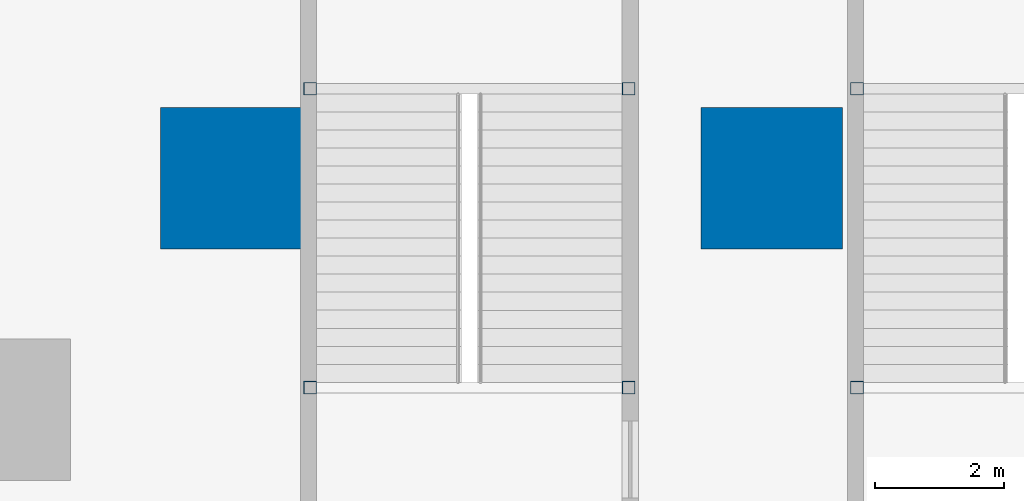
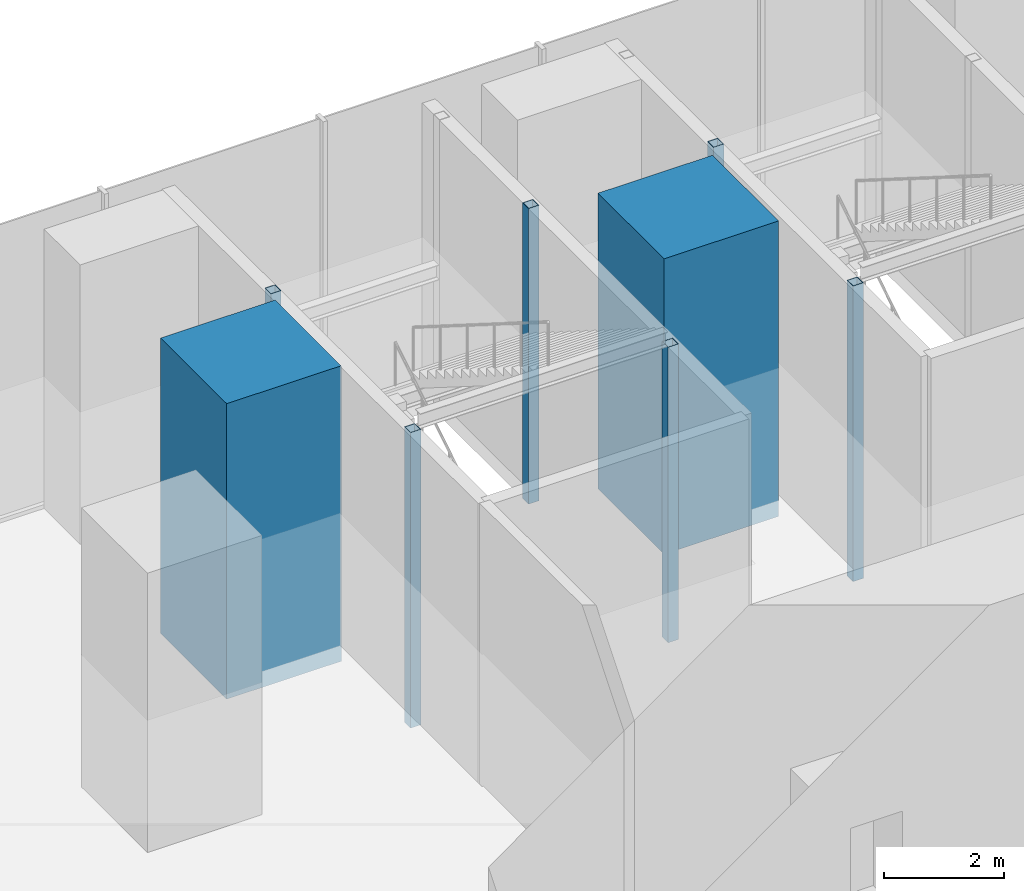
# One storey, part 8 of 32: 8 columns.
"""IFC4 building model written with IfcOpenShell, lengths in metres."""

from ifc_helpers import new_model, si_unit, direction, frame, origin, origin_2d, place, context, subcontext, project, spatial, rectangle, hollow_rectangle, extrude, material, material_profile, profile_set, type_object, element, save


model = new_model("IFC4")

# Units and contexts
model_context = context("Model", 3, precision=1e-05, world=origin(), true_north=direction((0.0, 1.0)))
body_context = subcontext(model_context, "Body", "Model", "MODEL_VIEW")
ifc_project = project(units=[si_unit("LENGTHUNIT", "METRE"), si_unit("AREAUNIT", "SQUARE_METRE"), si_unit("VOLUMEUNIT", "CUBIC_METRE"), si_unit("PLANEANGLEUNIT", "RADIAN"), si_unit("MASSUNIT", "GRAM", prefix="KILO")], contexts=[model_context])

# Site, building, storey
site_placement = place(None, origin())
site = spatial("IfcSite", under=ifc_project, at=site_placement, CompositionType="ELEMENT")
building_placement = place(site_placement, origin())
building = spatial("IfcBuilding", under=site, at=building_placement, Name="Dunama Terrace Hotel", CompositionType="ELEMENT")
storey_placement = place(building_placement, frame((0.0, 0.0, 6.0)))
storey = spatial("IfcBuildingStorey", under=building, at=storey_placement, Name="L01", CompositionType="ELEMENT", Elevation=6.0)

# Columns
ifc_material_1 = material(Name="Concrete C60/75", Category="concrete")
ifc_material_profile_1 = material_profile(ifc_material_1, rectangle(XDim=2.199951171875, YDim=2.199951171875, at=origin_2d()), Name="RC 2200x2200")
ifc_profile_set_1 = profile_set([ifc_material_profile_1], Name="Concrete C60/75")
column_type_1 = type_object("IfcColumnType", Name="Column RC 2200x2200", PredefinedType="COLUMN", material=ifc_profile_set_1)
for number, where, z_axis, x_axis, name in (
    (1, (16.800048828125, 54.0, -0.300048828125), (0.0, 0.0, 1.0), (1.0, 0.0, 0.0), "Column L01 +16.8/+54.0"),
    (2, (25.199951171875, 54.0, -0.300048828125), (0.0, 0.0, 1.0), (1.0, 0.0, 0.0), "Column L01 +25.2/+54.0"),
):
    element("IfcColumn", number, at=place(storey_placement, frame(where, z_axis=z_axis, x_axis=x_axis)), inside=storey, type_object=column_type_1, Name=name, PredefinedType="COLUMN", context=body_context, shape_type="SweptSolid", body=[
        extrude(rectangle(XDim=2.199951171875, YDim=2.199951171875, at=origin_2d()), origin(), (0.0, 0.0, 1.0), 6.0),
    ])
ifc_material_2 = material(Name="Steel S355", Category="steel")
ifc_material_profile_2 = material_profile(ifc_material_2, hollow_rectangle(XDim=0.199951171875, YDim=0.199951171875, WallThickness=0.010009765625, at=origin_2d()), Name="SHS 200x200x10")
ifc_profile_set_2 = profile_set([ifc_material_profile_2], Name="Steel S355")
column_type_2 = type_object("IfcColumnType", Name="Stair post SHS 200x200x10", PredefinedType="COLUMN", material=ifc_profile_set_2)
for number, where, z_axis, x_axis, name in (
    (3, (18.02490234375, 50.742431640625, -0.300048828125), (0.0, 0.0, 1.0), (1.0, 0.0, 0.0), "Stair post P5 L01 +18.02/+50.74"),
    (4, (22.97509765625, 50.742431640625, -0.300048828125), (0.0, 0.0, 1.0), (1.0, 0.0, 0.0), "Stair post P5 L01 +22.98/+50.74"),
    (5, (18.02490234375, 55.387451171875, -0.300048828125), (0.0, 0.0, 1.0), (1.0, 0.0, 0.0), "Stair post P5 L01 +18.02/+55.39"),
    (6, (22.97509765625, 55.387451171875, -0.300048828125), (0.0, 0.0, 1.0), (1.0, 0.0, 0.0), "Stair post P5 L01 +22.98/+55.39"),
    (7, (26.52490234375, 50.742431640625, -0.300048828125), (0.0, 0.0, 1.0), (1.0, 0.0, 0.0), "Stair post P6 L01 +26.52/+50.74"),
    (8, (26.52490234375, 55.387451171875, -0.300048828125), (0.0, 0.0, 1.0), (1.0, 0.0, 0.0), "Stair post P6 L01 +26.52/+55.39"),
):
    element("IfcColumn", number, at=place(storey_placement, frame(where, z_axis=z_axis, x_axis=x_axis)), inside=storey, type_object=column_type_2, Name=name, PredefinedType="COLUMN", context=body_context, shape_type="SweptSolid", body=[
        extrude(hollow_rectangle(XDim=0.199951171875, YDim=0.199951171875, WallThickness=0.010009765625, at=origin_2d()), origin(), (0.0, 0.0, 1.0), 6.0),
    ])

save(model, "model.ifc")
